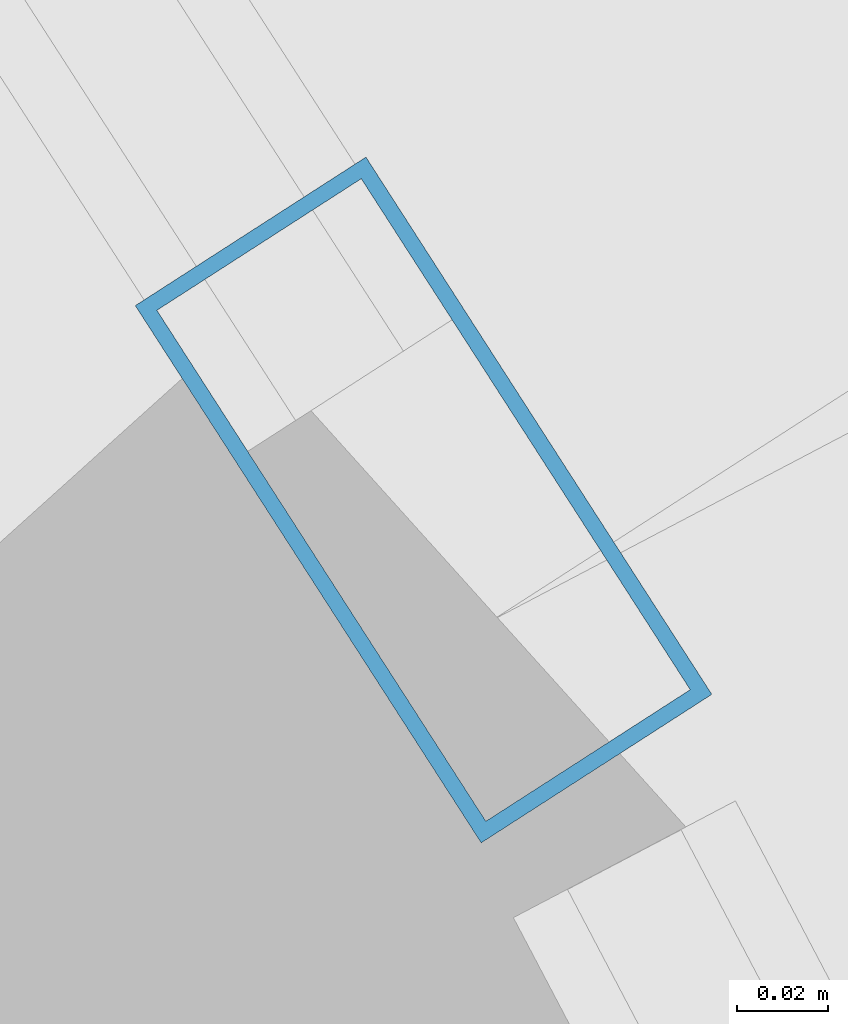
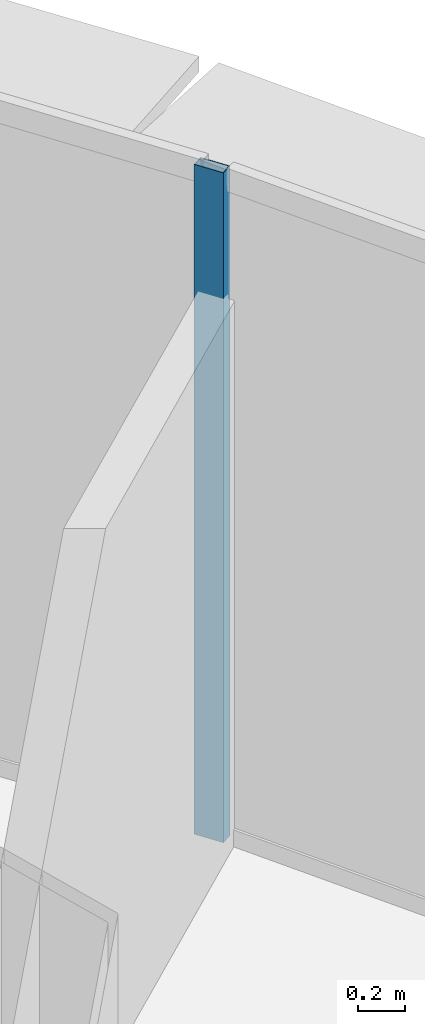
# One storey, part 18 of 34: 1 member, 1 element without a shape of its own.
"""IFC4 building model written with IfcOpenShell, lengths in metres."""

from ifc_helpers import new_model, si_unit, direction, frame, origin, origin_2d, place, context, subcontext, project, spatial, hollow_rectangle, extrude, source, transform, mapped, material, layer, layer_set, material_profile, profile_set, type_object, element, aggregate, save


model = new_model("IFC4")

# Units and contexts
model_context = context("Model", 3, precision=1e-05, world=origin(), true_north=direction((0.0, 1.0)))
body_context = subcontext(model_context, "Body", "Model", "MODEL_VIEW")
ifc_project = project(units=[si_unit("LENGTHUNIT", "METRE"), si_unit("AREAUNIT", "SQUARE_METRE"), si_unit("VOLUMEUNIT", "CUBIC_METRE"), si_unit("PLANEANGLEUNIT", "RADIAN"), si_unit("MASSUNIT", "GRAM", prefix="KILO"), si_unit("THERMODYNAMICTEMPERATUREUNIT", "KELVIN"), si_unit("POWERUNIT", "WATT")], contexts=[model_context])

# Site, building, storey
site_placement = place(None, origin())
site = spatial("IfcSite", under=ifc_project, at=site_placement, CompositionType="ELEMENT")
building_placement = place(site_placement, origin())
building = spatial("IfcBuilding", under=site, at=building_placement, Name="Yunzhuo Pagoda Commons", CompositionType="ELEMENT")
storey_placement = place(building_placement, frame((0.0, 0.0, 233.340087890625)))
storey = spatial("IfcBuildingStorey", under=building, at=storey_placement, Name="L58", CompositionType="ELEMENT", Elevation=233.340087890625)

# Curtain wall, member
ifc_material = material(Name="Anodized aluminium 6063-T6", Category="aluminium")
ifc_layer = layer(ifc_material, 0.139892578125)
ifc_layer_set = layer_set([ifc_layer], Name="Anodized aluminium 6063-T6")
curtain_wall_type = type_object("IfcCurtainWallType", Name="CW-HI High-Zone Ribbon Curtain Wall", PredefinedType="NOTDEFINED", material=ifc_layer_set)
curtain_wall_placement = place(storey_placement, origin())
curtain_wall = element("IfcCurtainWall", 1, at=curtain_wall_placement, inside=storey, type_object=curtain_wall_type, Name="L58 curtain wall CW-L58-F2B4", PredefinedType="NOTDEFINED")
ifc_material_profile = material_profile(ifc_material, hollow_rectangle(XDim=0.06005859375, YDim=0.139892578125, WallThickness=0.00341796875, at=origin_2d()), Name="Anodized aluminium 6063-T6")
ifc_profile_set = profile_set([ifc_material_profile], Name="Anodized aluminium 6063-T6")
member_type = type_object("IfcMemberType", Name="CW-HI-M Mullion RHS 140x60x3.5", PredefinedType="MULLION", material=ifc_profile_set)
shared_shape = source(origin(), body_context, "Body", "SweptSolid", [
    extrude(hollow_rectangle(XDim=0.06005859375, YDim=0.139892578125, WallThickness=0.00341796875, at=origin_2d()), origin(), (0.0, 0.0, 1.0), 3.469970703125),
])
member_placement = place(storey_placement, frame((70.9052734375, 54.364013671875, 0.0), z_axis=(0.0, 0.0, 1.0), x_axis=(-0.840807373352, -0.541334426133, 0.0)))
member = element("IfcMember", 2, at=member_placement, type_object=member_type, Name="CW mullion 1", PredefinedType="MULLION", context=body_context, shape_type="MappedRepresentation", body=[
    mapped(shared_shape, transform((0.0, 0.0, 0.0), scale=1.0)),
])
aggregate(curtain_wall, [member])

save(model, "model.ifc")
